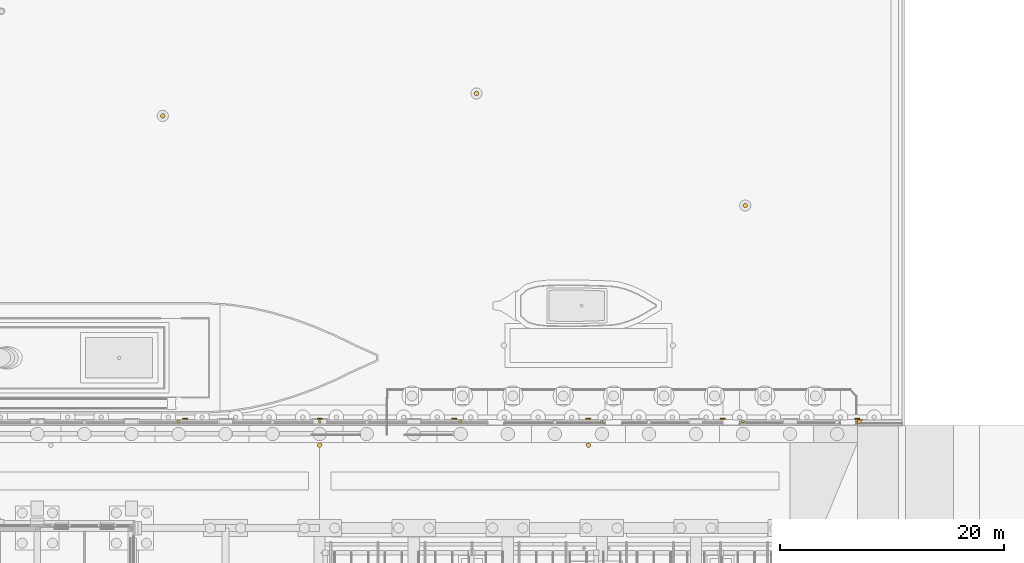
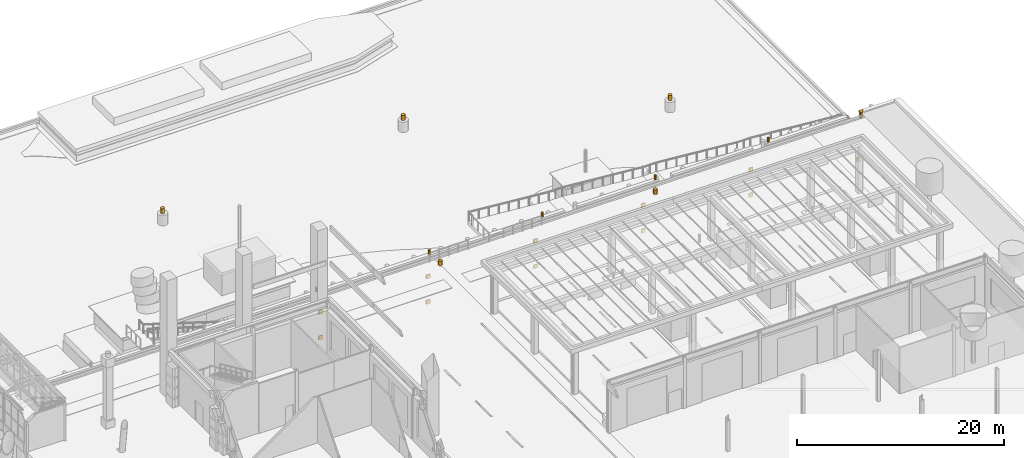
# One storey, part 215 of 222: 23 coverings.
"""IFC4 building model written with IfcOpenShell, lengths in metres."""

from ifc_helpers import new_model, si_unit, direction, frame, origin, origin_2d, place, context, subcontext, project, spatial, polyline, circle, outline, extrude, material, layer, layer_set, type_object, element, save


model = new_model("IFC4")

# Units and contexts
model_context = context("Model", 3, precision=1e-05, world=origin(), true_north=direction((0.0, 1.0)))
body_context = subcontext(model_context, "Body", "Model", "MODEL_VIEW")
ifc_project = project(units=[si_unit("LENGTHUNIT", "METRE"), si_unit("AREAUNIT", "SQUARE_METRE"), si_unit("VOLUMEUNIT", "CUBIC_METRE"), si_unit("PLANEANGLEUNIT", "RADIAN"), si_unit("MASSUNIT", "GRAM", prefix="KILO")], contexts=[model_context])

# Site, building, storey
site_placement = place(None, origin())
site = spatial("IfcSite", under=ifc_project, at=site_placement, CompositionType="ELEMENT")
building_placement = place(site_placement, origin())
building = spatial("IfcBuilding", under=site, at=building_placement, Name="Sava Quay Ferry Terminal", CompositionType="ELEMENT")
storey_placement = place(building_placement, origin())
storey = spatial("IfcBuildingStorey", under=building, at=storey_placement, Name="L00", CompositionType="ELEMENT", Elevation=0.0)

# Coverings
ifc_material_1 = material(Name="Steel S355", Category="steel")
ifc_layer_1 = layer(ifc_material_1, 0.39990234375)
ifc_layer_set_1 = layer_set([ifc_layer_1], Name="Steel S355")
covering_type_1 = type_object("IfcCoveringType", Name="Mooring bollard 400", PredefinedType="CLADDING", material=ifc_layer_set_1)
for number, where, z_axis, x_axis, name in (
    (1, (126.0, 116.60009765625, 0.550048828125), (0.0, 0.0, -1.0), (1.0, 0.0, 0.0), "Mooring bollard"),
    (2, (150.0, 116.60009765625, 0.550048828125), (0.0, 0.0, -1.0), (1.0, 0.0, 0.0), "Mooring bollard"),
):
    element("IfcCovering", number, at=place(storey_placement, frame(where, z_axis=z_axis, x_axis=x_axis)), inside=storey, type_object=covering_type_1, Name=name, PredefinedType="CLADDING", context=body_context, shape_type="SweptSolid", body=[
        extrude(circle(Radius=0.199951171875, at=origin_2d()), origin(), (0.0, 0.0, 1.0), 0.550048828125),
    ])
ifc_material_2 = material(Name="Steel painted", Category="steel")
ifc_layer_2 = layer(ifc_material_2, 0.39990234375)
ifc_layer_set_2 = layer_set([ifc_layer_2], Name="Steel painted")
covering_type_2 = type_object("IfcCoveringType", Name="Mooring buoy top 400", PredefinedType="CLADDING", material=ifc_layer_set_2)
for number, where, z_axis, x_axis, name in (
    (3, (112.0, 146.0, -6.199951171875), (0.0, 0.0, -1.0), (1.0, 0.0, 0.0), "Mooring buoy top"),
    (4, (140.0, 148.0, -6.199951171875), (0.0, 0.0, -1.0), (1.0, 0.0, 0.0), "Mooring buoy top"),
    (5, (164.0, 138.0, -6.199951171875), (0.0, 0.0, -1.0), (1.0, 0.0, 0.0), "Mooring buoy top"),
):
    element("IfcCovering", number, at=place(storey_placement, frame(where, z_axis=z_axis, x_axis=x_axis)), inside=storey, type_object=covering_type_2, Name=name, PredefinedType="CLADDING", context=body_context, shape_type="SweptSolid", body=[
        extrude(circle(Radius=0.199951171875, at=origin_2d()), origin(), (0.0, 0.0, 1.0), 0.60009765625),
    ])
ifc_material_3 = material(Name="Cast iron")
ifc_layer_3 = layer(ifc_material_3, 0.239990234375)
ifc_layer_set_3 = layer_set([ifc_layer_3], Name="Cast iron")
covering_type_3 = type_object("IfcCoveringType", Name="Quay bollard 240", PredefinedType="CLADDING", material=ifc_layer_set_3)
for number, where, z_axis, x_axis, name in (
    (6, (113.39990234375, 118.699951171875, 0.5), (0.0, 0.0, -1.0), (1.0, 0.0, 0.0), "Mooring bollard"),
    (7, (126.0, 118.699951171875, 0.5), (0.0, 0.0, -1.0), (1.0, 0.0, 0.0), "Mooring bollard"),
    (8, (138.60009765625, 118.699951171875, 0.5), (0.0, 0.0, -1.0), (1.0, 0.0, 0.0), "Mooring bollard"),
    (9, (151.199951171875, 118.699951171875, 0.5), (0.0, 0.0, -1.0), (1.0, 0.0, 0.0), "Mooring bollard"),
    (10, (163.800048828125, 118.699951171875, 0.5), (0.0, 0.0, -1.0), (1.0, 0.0, 0.0), "Mooring bollard"),
):
    element("IfcCovering", number, at=place(storey_placement, frame(where, z_axis=z_axis, x_axis=x_axis)), inside=storey, type_object=covering_type_3, Name=name, PredefinedType="CLADDING", context=body_context, shape_type="SweptSolid", body=[
        extrude(circle(Radius=0.1201171875, at=origin_2d()), origin(), (0.0, 0.0, 1.0), 0.5),
    ])
ifc_material_4 = material(Name="Cast iron")
ifc_layer_4 = layer(ifc_material_4, 0.1201171875)
ifc_layer_set_4 = layer_set([ifc_layer_4], Name="Cast iron")
covering_type_4 = type_object("IfcCoveringType", Name="Quay mooring ring plate", PredefinedType="CLADDING", material=ifc_layer_set_4)
for number, where, name in (
    (11, (0.0, 0.0, -6.02490234375), "Quay mooring ring plate"),
    (12, (0.0, 0.0, -3.02490234375), "Quay mooring ring plate"),
):
    element("IfcCovering", number, at=place(storey_placement, frame(where)), inside=storey, type_object=covering_type_4, Name=name, PredefinedType="CLADDING", context=body_context, shape_type="SweptSolid", body=[
        extrude(outline(polyline([(114.22509765625, 118.89990234375), (114.22509765625, 119.02001953125), (113.77490234375, 119.02001953125), (113.77490234375, 118.89990234375), (114.22509765625, 118.89990234375)])), origin(), (0.0, 0.0, 1.0), 0.449951171875),
    ])
for number, where, name in (
    (13, (0.0, 0.0, -6.02490234375), "Quay mooring ring plate"),
    (14, (0.0, 0.0, -3.02490234375), "Quay mooring ring plate"),
):
    element("IfcCovering", number, at=place(storey_placement, frame(where)), inside=storey, type_object=covering_type_4, Name=name, PredefinedType="CLADDING", context=body_context, shape_type="SweptSolid", body=[
        extrude(outline(polyline([(126.22509765625, 118.89990234375), (126.22509765625, 119.02001953125), (125.77490234375, 119.02001953125), (125.77490234375, 118.89990234375), (126.22509765625, 118.89990234375)])), origin(), (0.0, 0.0, 1.0), 0.449951171875),
    ])
for number, where, name in (
    (15, (0.0, 0.0, -6.02490234375), "Quay mooring ring plate"),
    (16, (0.0, 0.0, -3.02490234375), "Quay mooring ring plate"),
):
    element("IfcCovering", number, at=place(storey_placement, frame(where)), inside=storey, type_object=covering_type_4, Name=name, PredefinedType="CLADDING", context=body_context, shape_type="SweptSolid", body=[
        extrude(outline(polyline([(138.22509765625, 118.89990234375), (138.22509765625, 119.02001953125), (137.77490234375, 119.02001953125), (137.77490234375, 118.89990234375), (138.22509765625, 118.89990234375)])), origin(), (0.0, 0.0, 1.0), 0.449951171875),
    ])
for number, where, name in (
    (17, (0.0, 0.0, -6.02490234375), "Quay mooring ring plate"),
    (18, (0.0, 0.0, -3.02490234375), "Quay mooring ring plate"),
):
    element("IfcCovering", number, at=place(storey_placement, frame(where)), inside=storey, type_object=covering_type_4, Name=name, PredefinedType="CLADDING", context=body_context, shape_type="SweptSolid", body=[
        extrude(outline(polyline([(150.22509765625, 118.89990234375), (150.22509765625, 119.02001953125), (149.77490234375, 119.02001953125), (149.77490234375, 118.89990234375), (150.22509765625, 118.89990234375)])), origin(), (0.0, 0.0, 1.0), 0.449951171875),
    ])
for number, where, name in (
    (19, (0.0, 0.0, -6.02490234375), "Quay mooring ring plate"),
    (20, (0.0, 0.0, -3.02490234375), "Quay mooring ring plate"),
):
    element("IfcCovering", number, at=place(storey_placement, frame(where)), inside=storey, type_object=covering_type_4, Name=name, PredefinedType="CLADDING", context=body_context, shape_type="SweptSolid", body=[
        extrude(outline(polyline([(162.22509765625, 118.89990234375), (162.22509765625, 119.02001953125), (161.77490234375, 119.02001953125), (161.77490234375, 118.89990234375), (162.22509765625, 118.89990234375)])), origin(), (0.0, 0.0, 1.0), 0.449951171875),
    ])
covering_1_placement = place(storey_placement, frame((0.0, 0.0, -6.02490234375)))
element("IfcCovering", 21, at=covering_1_placement, inside=storey, type_object=covering_type_4, Name="Quay mooring ring plate", PredefinedType="CLADDING", context=body_context, shape_type="SweptSolid", body=[
    extrude(outline(polyline([(174.22509765625, 118.89990234375), (174.22509765625, 119.02001953125), (173.77490234375, 119.02001953125), (173.77490234375, 118.89990234375), (174.22509765625, 118.89990234375)])), origin(), (0.0, 0.0, 1.0), 0.449951171875),
])
ifc_material_5 = material(Name="Limestone Mutalj", Category="masonry")
ifc_layer_5 = layer(ifc_material_5, 0.39990234375)
ifc_layer_set_5 = layer_set([ifc_layer_5], Name="Limestone Mutalj")
covering_type_5 = type_object("IfcCoveringType", Name="Quay wall coping 400", PredefinedType="MOLDING", material=ifc_layer_set_5)
covering_2_placement = place(storey_placement, frame((0.0, 0.0, -0.199951171875)))
element("IfcCovering", 22, at=covering_2_placement, inside=storey, type_object=covering_type_5, Name="Quay wall coping", PredefinedType="MOLDING", context=body_context, shape_type="SweptSolid", body=[
    extrude(outline(polyline([(174.550048828125, 118.89990234375), (174.0, 118.89990234375), (174.0, 118.5), (174.14990234375, 118.5), (174.550048828125, 118.89990234375)])), origin(), (0.0, 0.0, 1.0), 0.199951171875),
])
ifc_material_6 = material(Name="Limestone Mutalj", Category="masonry")
ifc_layer_6 = layer(ifc_material_6, 0.35009765625)
ifc_layer_set_6 = layer_set([ifc_layer_6], Name="Limestone Mutalj")
covering_type_6 = type_object("IfcCoveringType", Name="Quay wall cornice 350", PredefinedType="MOLDING", material=ifc_layer_set_6)
covering_3_placement = place(storey_placement, frame((0.0, 0.0, -0.800048828125)))
element("IfcCovering", 23, at=covering_3_placement, inside=storey, type_object=covering_type_6, Name="Quay wall cornice", PredefinedType="MOLDING", context=body_context, shape_type="SweptSolid", body=[
    extrude(outline(polyline([(174.5, 118.85009765625), (174.0, 118.85009765625), (174.0, 118.5), (174.14990234375, 118.5), (174.5, 118.85009765625)])), origin(), (0.0, 0.0, 1.0), 0.60009765625),
])

save(model, "model.ifc")
